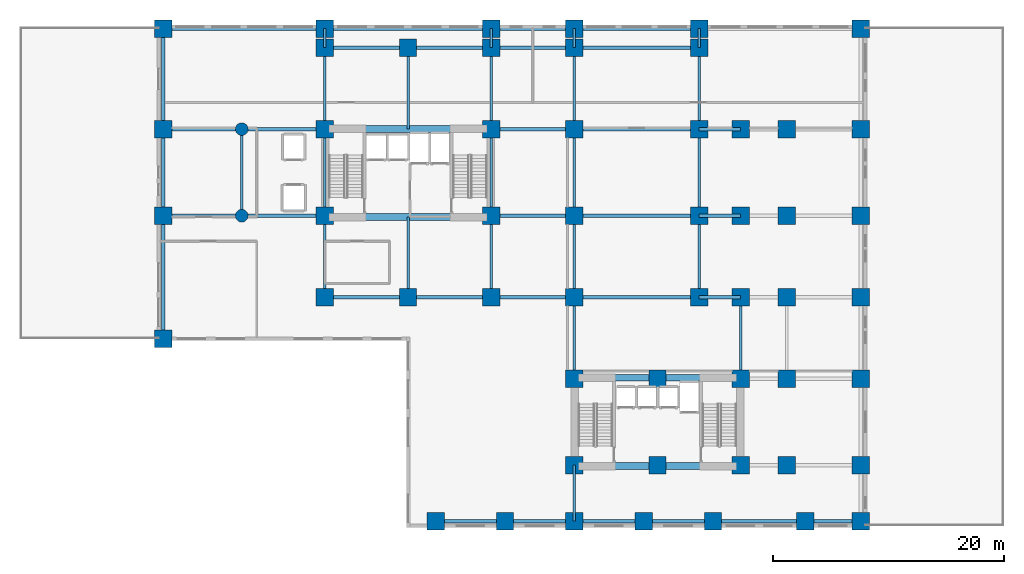
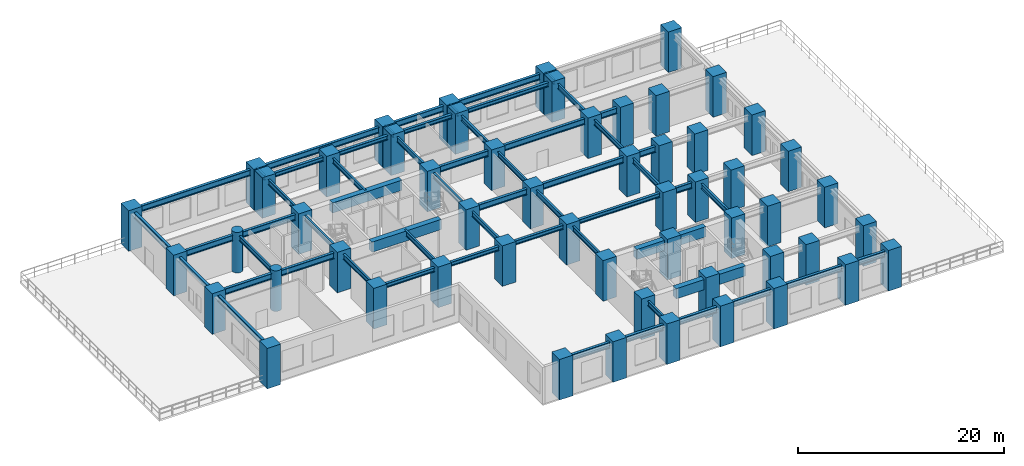
# One storey, part 1 of 10: 58 beams, 55 columns.
"""IFC4 building model written with IfcOpenShell, lengths in metres."""

import ifcopenshell
import ifcopenshell.guid

model = None  # the IFC model being written
_history = None  # IfcOwnerHistory: only IFC2X3 demands one
_inside = {}  # id of a spatial element -> (the spatial element, [elements in it])
_under = {}  # id of a project, library or spatial element -> (it, [spatial elements below it])
_declared = {}  # id of a project -> (the project, [libraries it declares])
_typed = {}  # id of a type object -> (the type object, [elements of that type])
_made_of = {}  # id of a material, layer set ... -> (it, [elements and type objects made of it])


def new_model(schema):
    """Start an empty IFC model of exactly this schema.

    Asked for "IFC4X3", IfcOpenShell would pick the latest addendum, in which some entities
    have other attributes; the version numbers below select the first issue.
    IFC2X3 requires an IfcOwnerHistory on every rooted entity: one is made here for all.
    """
    global model, _history
    if schema == "IFC4X3":
        model = ifcopenshell.file(schema_version=(4, 3, 0, 0))
    else:
        model = ifcopenshell.file(schema=schema)
    _inside.clear()
    _under.clear()
    _declared.clear()
    _typed.clear()
    _made_of.clear()
    _history = None
    if model.schema == "IFC2X3":
        org = make("IfcOrganization", Name="unknown")
        user = make(
            "IfcPersonAndOrganization",
            ThePerson=make("IfcPerson", FamilyName="unknown"),
            TheOrganization=org,
        )
        app = make(
            "IfcApplication",
            ApplicationDeveloper=org,
            Version="unknown",
            ApplicationFullName="unknown",
            ApplicationIdentifier="unknown",
        )
        _history = make(
            "IfcOwnerHistory",
            OwningUser=user,
            OwningApplication=app,
            ChangeAction="ADDED",
            CreationDate=0,
        )
    return model


def make(cls, **values):
    """One entity of the class cls with the attributes given. An attribute that is None is left unset."""
    return model.create_entity(
        cls, **{name: value for name, value in values.items() if value is not None}
    )


def rooted(cls, **values):
    """An entity with a GlobalId (a new one), such as an element, a storey or a relation."""
    return make(cls, GlobalId=ifcopenshell.guid.new(), OwnerHistory=_history, **values)


def si_unit(unit_type, name, prefix=None):
    """IfcSIUnit, for example si_unit("LENGTHUNIT", "METRE", prefix="MILLI")."""
    return make("IfcSIUnit", UnitType=unit_type, Prefix=prefix, Name=name)


def assignment(units):
    """IfcUnitAssignment: the units of a project."""
    return None if units is None else make("IfcUnitAssignment", Units=units)


def point(xyz):
    """IfcCartesianPoint."""
    return None if xyz is None else make("IfcCartesianPoint", Coordinates=xyz)


def direction(xyz):
    """IfcDirection."""
    return None if xyz is None else make("IfcDirection", DirectionRatios=xyz)


def frame(location, z_axis=None, x_axis=None):
    """IfcAxis2Placement3D, a coordinate frame: its origin and axes. An axis left out is left unset."""
    return make(
        "IfcAxis2Placement3D",
        Location=point(location),
        Axis=direction(z_axis),
        RefDirection=direction(x_axis),
    )


def frame_2d(location, x_axis=None):
    """IfcAxis2Placement2D, a coordinate frame in the plane: its origin and x axis."""
    return make(
        "IfcAxis2Placement2D", Location=point(location), RefDirection=direction(x_axis)
    )


def origin():
    """The frame at (0, 0, 0) with its axes left unset."""
    return frame((0.0, 0.0, 0.0))


def origin_2d():
    """The frame at (0, 0) in the plane with its x axis left unset."""
    return frame_2d((0.0, 0.0))


def place(relative_to, where):
    """IfcLocalPlacement: puts the frame where relative to a parent placement (None: the world)."""
    return make(
        "IfcLocalPlacement", PlacementRelTo=relative_to, RelativePlacement=where
    )


def context(
    kind, dimensions, precision=None, world=None, true_north=None, identifier=None
):
    """IfcGeometricRepresentationContext, for example the 3D "Model" context."""
    return make(
        "IfcGeometricRepresentationContext",
        ContextIdentifier=identifier,
        ContextType=kind,
        CoordinateSpaceDimension=dimensions,
        Precision=precision,
        WorldCoordinateSystem=world,
        TrueNorth=true_north,
    )


def subcontext(parent, identifier, kind, view, scale=None):
    """IfcGeometricRepresentationSubContext, for example "Body" below "Model"."""
    return make(
        "IfcGeometricRepresentationSubContext",
        ContextIdentifier=identifier,
        ContextType=kind,
        ParentContext=parent,
        TargetScale=scale,
        TargetView=view,
    )


def project(units=None, contexts=None):
    """IfcProject with its units and contexts."""
    return rooted(
        "IfcProject",
        Name="project",
        RepresentationContexts=contexts,
        UnitsInContext=assignment(units),
    )


def spatial(cls, under=None, at=None, **own):
    """A site, building, storey or space (cls), placed at a placement, below another one or the project."""
    s = rooted(cls, ObjectPlacement=at, **own)
    if under is not None:
        _under.setdefault(under.id(), (under, []))[1].append(s)
    return s


def profile(cls, at=None, kind="AREA", **sizes):
    """A parametric profile (cls). Its sizes go by their IFC names, for example OverallWidth=200.0."""
    return make(cls, ProfileType=kind, Position=at, **sizes)


def rectangle(**sizes):
    """IfcRectangleProfileDef."""
    return profile("IfcRectangleProfileDef", **sizes)


def circle(**sizes):
    """IfcCircleProfileDef."""
    return profile("IfcCircleProfileDef", **sizes)


def i_section(**sizes):
    """IfcIShapeProfileDef."""
    return profile("IfcIShapeProfileDef", **sizes)


def extrude(swept, where, along, depth):
    """IfcExtrudedAreaSolid: the profile swept, set in the frame where, extruded along a direction by depth."""
    return make(
        "IfcExtrudedAreaSolid",
        SweptArea=swept,
        Position=where,
        ExtrudedDirection=direction(along),
        Depth=depth,
    )


def shape(context_of_items, identifier, shape_type, items):
    """IfcShapeRepresentation: the items that make up one representation, for example the "Body"."""
    return make(
        "IfcShapeRepresentation",
        ContextOfItems=context_of_items,
        RepresentationIdentifier=identifier,
        RepresentationType=shape_type,
        Items=items,
    )


def source(mapping_origin, context_of_items, identifier, shape_type, items):
    """IfcRepresentationMap: a shape defined once, which mapped items show again and again."""
    return make(
        "IfcRepresentationMap",
        MappingOrigin=mapping_origin,
        MappedRepresentation=shape(context_of_items, identifier, shape_type, items),
    )


def transform(
    local_origin,
    x_axis=None,
    y_axis=None,
    z_axis=None,
    scale=None,
    scale2=None,
    scale3=None,
    uniform=True,
):
    """IfcCartesianTransformationOperator3D, or its non-uniform kind. x_axis, y_axis, z_axis: its Axis1, 2, 3."""
    if uniform:
        return make(
            "IfcCartesianTransformationOperator3D",
            Axis1=direction(x_axis),
            Axis2=direction(y_axis),
            LocalOrigin=point(local_origin),
            Scale=scale,
            Axis3=direction(z_axis),
        )
    return make(
        "IfcCartesianTransformationOperator3DnonUniform",
        Axis1=direction(x_axis),
        Axis2=direction(y_axis),
        LocalOrigin=point(local_origin),
        Scale=scale,
        Axis3=direction(z_axis),
        Scale2=scale2,
        Scale3=scale3,
    )


def mapped(mapping_source, mapping_target):
    """IfcMappedItem: shows the shape of a source again, moved by a transform."""
    return make(
        "IfcMappedItem", MappingSource=mapping_source, MappingTarget=mapping_target
    )


def material(Name=None, Category=None):
    """IfcMaterial."""
    return make("IfcMaterial", Name=Name, Category=Category)


def material_profile(
    of_material, cross_section, Name=None, Category=None, Priority=None
):
    """IfcMaterialProfile: a cross section and its material."""
    return make(
        "IfcMaterialProfile",
        Name=Name,
        Material=of_material,
        Profile=cross_section,
        Priority=Priority,
        Category=Category,
    )


def profile_set(profiles, Name=None, composite=None):
    """IfcMaterialProfileSet."""
    return make(
        "IfcMaterialProfileSet",
        Name=Name,
        MaterialProfiles=profiles,
        CompositeProfile=composite,
    )


def made_of(thing, what):
    """Note that an element or type object is made of a material, layer set ...; save() writes the relation."""
    if what is not None:
        _made_of.setdefault(what.id(), (what, []))[1].append(thing)
    return thing


def type_object(cls, material=None, **own):
    """A type object (cls), such as IfcWallType, which elements share."""
    return made_of(rooted(cls, **own), material)


def element(
    cls,
    number,
    at=None,
    inside=None,
    cuts=None,
    type_object=None,
    material=None,
    context=None,
    identifier="Body",
    shape_type=None,
    held_by="IfcProductDefinitionShape",
    body=None,
    shapes=None,
    **own,
):
    """One element of the class cls, such as IfcWall. Its Tag is "e" and its number.

    at: its placement. inside: the storey or other place that contains it. cuts: it is an
    opening in that element (IfcRelVoidsElement). A single representation is given by context,
    identifier, shape_type and body (its items); several are given by shapes. held_by: the class
    of the entity that holds the representations. save() writes the other relations.
    """
    e = rooted(cls, Tag="e%d" % number, ObjectPlacement=at, **own)
    if body is not None:
        shapes = [shape(context, identifier, shape_type, body)]
    if shapes is not None:
        e.Representation = make(held_by, Representations=shapes)
    if inside is not None:
        _inside.setdefault(inside.id(), (inside, []))[1].append(e)
    if cuts is not None:
        rooted(
            "IfcRelVoidsElement", RelatingBuildingElement=cuts, RelatedOpeningElement=e
        )
    if type_object is not None:
        _typed.setdefault(type_object.id(), (type_object, []))[1].append(e)
    return made_of(e, material)


def aggregate(whole, parts):
    """IfcRelAggregates: a whole, such as a stair, and the parts it consists of."""
    return rooted("IfcRelAggregates", RelatingObject=whole, RelatedObjects=parts)


def save(model, path):
    """Write the relations noted so far, then the file.

    IfcRelAggregates (storeys below a building ...), IfcRelContainedInSpatialStructure (elements
    in a storey), IfcRelDefinesByType, IfcRelAssociatesMaterial and IfcRelDeclares: one each for
    every whole, place, type object, material and project.
    """
    for whole, parts in _under.values():
        aggregate(whole, parts)
    for where, things in _inside.values():
        rooted(
            "IfcRelContainedInSpatialStructure",
            RelatedElements=things,
            RelatingStructure=where,
        )
    for kind, things in _typed.values():
        rooted("IfcRelDefinesByType", RelatedObjects=things, RelatingType=kind)
    for what, things in _made_of.values():
        rooted("IfcRelAssociatesMaterial", RelatedObjects=things, RelatingMaterial=what)
    for by, libraries in _declared.values():
        rooted("IfcRelDeclares", RelatingContext=by, RelatedDefinitions=libraries)
    model.write(path)


model = new_model("IFC4")

# Units and contexts
model_context = context("Model", 3, precision=1e-05, world=origin(), true_north=direction((0.0, 1.0)))
body_context = subcontext(model_context, "Body", "Model", "MODEL_VIEW")
ifc_project = project(units=[si_unit("LENGTHUNIT", "METRE"), si_unit("AREAUNIT", "SQUARE_METRE"), si_unit("VOLUMEUNIT", "CUBIC_METRE"), si_unit("PLANEANGLEUNIT", "RADIAN"), si_unit("MASSUNIT", "GRAM", prefix="KILO")], contexts=[model_context])

# Site, building, storey
site_placement = place(None, origin())
site = spatial("IfcSite", under=ifc_project, at=site_placement, CompositionType="ELEMENT")
building_placement = place(site_placement, origin())
building = spatial("IfcBuilding", under=site, at=building_placement, Name="Kaliganga Portal Commons", CompositionType="ELEMENT")
storey_placement = place(building_placement, frame((0.0, 0.0, 15.0)))
storey = spatial("IfcBuildingStorey", under=building, at=storey_placement, Name="L03", CompositionType="ELEMENT", Elevation=15.0)

# Columns
ifc_material_1 = material(Name="Concrete C60/75", Category="concrete")
ifc_material_profile_1 = material_profile(ifc_material_1, circle(Radius=0.550048828125, at=origin_2d()), Name="RC COL D1100")
ifc_profile_set_1 = profile_set([ifc_material_profile_1], Name="Concrete C60/75")
column_type_1 = type_object("IfcColumnType", Name="COL-POD-CIRC", PredefinedType="COLUMN", material=ifc_profile_set_1)
shared_shape_1 = source(origin(), body_context, "Body", "SweptSolid", [
    extrude(circle(Radius=0.550048828125, at=origin_2d()), origin(), (0.0, 0.0, 1.0), 4.800048828125),
])
for number, where, z_axis, x_axis, name in (
    (1, (7.199951171875, 28.64990234375, 0.0), (0.0, 0.0, 1.0), (1.0, 0.0, 0.0), "Column MC-07 L03"),
    (2, (7.199951171875, 36.14990234375, 0.0), (0.0, 0.0, 1.0), (1.0, 0.0, 0.0), "Column MC-07 L03"),
):
    element("IfcColumn", number, at=place(storey_placement, frame(where, z_axis=z_axis, x_axis=x_axis)), inside=storey, type_object=column_type_1, Name=name, PredefinedType="COLUMN", context=body_context, shape_type="MappedRepresentation", body=[
        mapped(shared_shape_1, transform((0.0, 0.0, 0.0), x_axis=(1.0, 0.0, 0.0), y_axis=(0.0, 1.0, 0.0), z_axis=(0.0, 0.0, 1.0), scale=1.0)),
    ])
ifc_material_2 = material(Name="Concrete C70/85", Category="concrete")
ifc_material_profile_2 = material_profile(ifc_material_2, rectangle(XDim=1.5, YDim=1.5, at=origin_2d()), Name="RC 1500x1500")
ifc_profile_set_2 = profile_set([ifc_material_profile_2], Name="Concrete C70/85")
column_type_2 = type_object("IfcColumnType", Name="COL-MEGA-Z0", PredefinedType="COLUMN", material=ifc_profile_set_2)
shared_shape_2 = source(origin(), body_context, "Body", "SweptSolid", [
    extrude(rectangle(XDim=1.5, YDim=1.5, at=origin_2d()), origin(), (0.0, 0.0, 1.0), 4.800048828125),
])
for number, where, z_axis, x_axis, name in (
    (3, (14.39990234375, 21.60009765625, 0.0), (0.0, 0.0, 1.0), (1.0, 0.0, 0.0), "Column MC-01 L03"),
    (4, (14.39990234375, 28.64990234375, 0.0), (0.0, 0.0, 1.0), (1.0, 0.0, 0.0), "Column MC-01 L03"),
    (5, (14.39990234375, 36.14990234375, 0.0), (0.0, 0.0, 1.0), (1.0, 0.0, 0.0), "Column MC-01 L03"),
    (6, (14.39990234375, 43.199951171875, 0.0), (0.0, 0.0, 1.0), (1.0, 0.0, 0.0), "Column MC-01 L03"),
    (7, (21.60009765625, 21.60009765625, 0.0), (0.0, 0.0, 1.0), (1.0, 0.0, 0.0), "Column MC-01 L03"),
    (8, (21.60009765625, 43.199951171875, 0.0), (0.0, 0.0, 1.0), (1.0, 0.0, 0.0), "Column MC-01 L03"),
    (9, (28.800048828125, 21.60009765625, 0.0), (0.0, 0.0, 1.0), (1.0, 0.0, 0.0), "Column MC-01 L03"),
    (10, (28.800048828125, 28.64990234375, 0.0), (0.0, 0.0, 1.0), (1.0, 0.0, 0.0), "Column MC-01 L03"),
    (11, (28.800048828125, 36.14990234375, 0.0), (0.0, 0.0, 1.0), (1.0, 0.0, 0.0), "Column MC-01 L03"),
    (12, (28.800048828125, 43.199951171875, 0.0), (0.0, 0.0, 1.0), (1.0, 0.0, 0.0), "Column MC-01 L03"),
    (13, (36.0, 21.60009765625, 0.0), (0.0, 0.0, 1.0), (1.0, 0.0, 0.0), "Column MC-01 L03"),
    (14, (36.0, 43.199951171875, 0.0), (0.0, 0.0, 1.0), (1.0, 0.0, 0.0), "Column MC-01 L03"),
    (15, (36.0, 28.64990234375, 0.0), (0.0, 0.0, 1.0), (1.0, 0.0, 0.0), "Column MC-01 L03"),
    (16, (36.0, 36.14990234375, 0.0), (0.0, 0.0, 1.0), (1.0, 0.0, 0.0), "Column MC-01 L03"),
    (17, (46.800048828125, 21.60009765625, 0.0), (0.0, 0.0, 1.0), (1.0, 0.0, 0.0), "Column MC-01 L03"),
    (18, (46.800048828125, 28.64990234375, 0.0), (0.0, 0.0, 1.0), (1.0, 0.0, 0.0), "Column MC-01 L03"),
    (19, (46.800048828125, 36.14990234375, 0.0), (0.0, 0.0, 1.0), (1.0, 0.0, 0.0), "Column MC-01 L03"),
    (20, (46.800048828125, 43.199951171875, 0.0), (0.0, 0.0, 1.0), (1.0, 0.0, 0.0), "Column MC-01 L03"),
    (21, (36.0, 7.050048828125, 0.0), (0.0, 0.0, 1.0), (1.0, 0.0, 0.0), "Column MC-01 L03"),
    (22, (36.0, 14.550048828125, 0.0), (0.0, 0.0, 1.0), (1.0, 0.0, 0.0), "Column MC-01 L03"),
    (23, (43.199951171875, 7.050048828125, 0.0), (0.0, 0.0, 1.0), (1.0, 0.0, 0.0), "Column MC-01 L03"),
    (24, (43.199951171875, 14.550048828125, 0.0), (0.0, 0.0, 1.0), (1.0, 0.0, 0.0), "Column MC-01 L03"),
    (25, (50.39990234375, 7.050048828125, 0.0), (0.0, 0.0, 1.0), (1.0, 0.0, 0.0), "Column MC-01 L03"),
    (26, (50.39990234375, 14.550048828125, 0.0), (0.0, 0.0, 1.0), (1.0, 0.0, 0.0), "Column MC-01 L03"),
    (27, (50.39990234375, 21.60009765625, 0.0), (0.0, 0.0, 1.0), (1.0, 0.0, 0.0), "Column MC-01 L03"),
    (28, (50.39990234375, 28.64990234375, 0.0), (0.0, 0.0, 1.0), (1.0, 0.0, 0.0), "Column MC-01 L03"),
    (29, (50.39990234375, 36.14990234375, 0.0), (0.0, 0.0, 1.0), (1.0, 0.0, 0.0), "Column MC-01 L03"),
    (30, (54.39990234375, 7.050048828125, 0.0), (0.0, 0.0, 1.0), (1.0, 0.0, 0.0), "Column MC-01 L03"),
    (31, (54.39990234375, 14.550048828125, 0.0), (0.0, 0.0, 1.0), (1.0, 0.0, 0.0), "Column MC-01 L03"),
    (32, (54.39990234375, 21.60009765625, 0.0), (0.0, 0.0, 1.0), (1.0, 0.0, 0.0), "Column MC-01 L03"),
    (33, (54.39990234375, 28.64990234375, 0.0), (0.0, 0.0, 1.0), (1.0, 0.0, 0.0), "Column MC-01 L03"),
    (34, (54.39990234375, 36.14990234375, 0.0), (0.0, 0.0, 1.0), (1.0, 0.0, 0.0), "Column MC-01 L03"),
    (35, (0.39990234375, 18.0, 0.0), (0.0, 0.0, 1.0), (1.0, 0.0, 0.0), "Column MC-01 L03"),
    (36, (0.39990234375, 28.64990234375, 0.0), (0.0, 0.0, 1.0), (1.0, 0.0, 0.0), "Column MC-01 L03"),
    (37, (0.39990234375, 36.14990234375, 0.0), (0.0, 0.0, 1.0), (1.0, 0.0, 0.0), "Column MC-01 L03"),
    (38, (0.39990234375, 44.85009765625, 0.0), (0.0, 0.0, 1.0), (1.0, 0.0, 0.0), "Column MC-01 L03"),
    (39, (14.39990234375, 44.85009765625, 0.0), (0.0, 0.0, 1.0), (1.0, 0.0, 0.0), "Column MC-01 L03"),
    (40, (28.800048828125, 44.85009765625, 0.0), (0.0, 0.0, 1.0), (1.0, 0.0, 0.0), "Column MC-01 L03"),
    (41, (36.0, 44.85009765625, 0.0), (0.0, 0.0, 1.0), (1.0, 0.0, 0.0), "Column MC-01 L03"),
    (42, (46.800048828125, 44.85009765625, 0.0), (0.0, 0.0, 1.0), (1.0, 0.0, 0.0), "Column MC-01 L03"),
    (43, (60.800048828125, 44.85009765625, 0.0), (0.0, 0.0, 1.0), (1.0, 0.0, 0.0), "Column MC-01 L03"),
    (44, (60.800048828125, 36.14990234375, 0.0), (0.0, 0.0, 1.0), (1.0, 0.0, 0.0), "Column MC-01 L03"),
    (45, (60.800048828125, 28.64990234375, 0.0), (0.0, 0.0, 1.0), (1.0, 0.0, 0.0), "Column MC-01 L03"),
    (46, (60.800048828125, 21.60009765625, 0.0), (0.0, 0.0, 1.0), (1.0, 0.0, 0.0), "Column MC-01 L03"),
    (47, (60.800048828125, 14.550048828125, 0.0), (0.0, 0.0, 1.0), (1.0, 0.0, 0.0), "Column MC-01 L03"),
    (48, (60.800048828125, 7.050048828125, 0.0), (0.0, 0.0, 1.0), (1.0, 0.0, 0.0), "Column MC-01 L03"),
    (49, (60.800048828125, 2.199951171875, 0.0), (0.0, 0.0, 1.0), (1.0, 0.0, 0.0), "Column MC-01 L03"),
    (50, (56.0, 2.199951171875, 0.0), (0.0, 0.0, 1.0), (1.0, 0.0, 0.0), "Column MC-01 L03"),
    (51, (48.0, 2.199951171875, 0.0), (0.0, 0.0, 1.0), (1.0, 0.0, 0.0), "Column MC-01 L03"),
    (52, (42.0, 2.199951171875, 0.0), (0.0, 0.0, 1.0), (1.0, 0.0, 0.0), "Column MC-01 L03"),
    (53, (36.0, 2.199951171875, 0.0), (0.0, 0.0, 1.0), (1.0, 0.0, 0.0), "Column MC-01 L03"),
    (54, (30.0, 2.199951171875, 0.0), (0.0, 0.0, 1.0), (1.0, 0.0, 0.0), "Column MC-01 L03"),
    (55, (24.0, 2.199951171875, 0.0), (0.0, 0.0, 1.0), (1.0, 0.0, 0.0), "Column MC-01 L03"),
):
    element("IfcColumn", number, at=place(storey_placement, frame(where, z_axis=z_axis, x_axis=x_axis)), inside=storey, type_object=column_type_2, Name=name, PredefinedType="COLUMN", context=body_context, shape_type="MappedRepresentation", body=[
        mapped(shared_shape_2, transform((0.0, 0.0, 0.0), x_axis=(1.0, 0.0, 0.0), y_axis=(0.0, 1.0, 0.0), z_axis=(0.0, 0.0, 1.0), scale=1.0)),
    ])

# Beams
ifc_material_profile_3 = material_profile(ifc_material_1, rectangle(XDim=0.60009765625, YDim=1.199951171875, at=origin_2d()), Name="RC 600x1200")
ifc_profile_set_3 = profile_set([ifc_material_profile_3], Name="Concrete C60/75")
beam_type_1 = type_object("IfcBeamType", Name="BM-CPL-1200", PredefinedType="LINTEL", material=ifc_profile_set_3)
shared_shape_3 = source(origin(), body_context, "Body", "SweptSolid", [
    extrude(rectangle(XDim=0.60009765625, YDim=1.199951171875, at=origin_2d()), origin(), (0.0, 0.0, 1.0), 7.739990234375),
])
for number, where, z_axis, x_axis, name in (
    (56, (17.72998046875, 28.52490234375, 3.780029296875), (1.0, 0.0, 0.0), (0.0, 1.0, 0.0), "BM CPL COREA L03 S"),
    (57, (17.72998046875, 36.175048828125, 3.780029296875), (1.0, 0.0, 0.0), (0.0, 1.0, 0.0), "BM CPL COREA L03 N"),
    (58, (39.330078125, 6.97509765625, 3.780029296875), (1.0, 0.0, 0.0), (0.0, 1.0, 0.0), "BM CPL COREB L03 S"),
    (59, (39.330078125, 14.625, 3.780029296875), (1.0, 0.0, 0.0), (0.0, 1.0, 0.0), "BM CPL COREB L03 N"),
):
    element("IfcBeam", number, at=place(storey_placement, frame(where, z_axis=z_axis, x_axis=x_axis)), inside=storey, type_object=beam_type_1, Name=name, PredefinedType="LINTEL", context=body_context, shape_type="MappedRepresentation", body=[
        mapped(shared_shape_3, transform((0.0, 0.0, 0.0), x_axis=(1.0, 0.0, 0.0), y_axis=(0.0, 1.0, 0.0), z_axis=(0.0, 0.0, 1.0), scale=1.0)),
    ])
ifc_material_3 = material(Name="Structural steel S355J2", Category="steel")
ifc_material_profile_4 = material_profile(ifc_material_3, i_section(OverallWidth=0.300048828125, OverallDepth=0.699951171875, WebThickness=0.01708984375, FlangeThickness=0.031982421875, FilletRadius=0.027099609375, at=origin_2d()), Name="HE 700 B")
ifc_profile_set_4 = profile_set([ifc_material_profile_4], Name="Structural steel S355J2 wide-flange")
beam_type_2 = type_object("IfcBeamType", Name="BM-GIRD-700", PredefinedType="USERDEFINED", material=ifc_profile_set_4)
shared_shape_4 = source(origin(), body_context, "Body", "SweptSolid", [
    extrude(i_section(OverallWidth=0.300048828125, OverallDepth=0.699951171875, WebThickness=0.01708984375, FlangeThickness=0.031982421875, FilletRadius=0.027099609375, at=origin_2d()), origin(), (0.0, 0.0, 1.0), 7.199951171875),
])
for number, where, z_axis, x_axis, name in (
    (60, (7.199951171875, 28.64990234375, 4.030029296875), (1.0, 0.0, 0.0), (0.0, 1.0, 0.0), "BM G L03 WAH_S 2"),
    (61, (7.199951171875, 36.14990234375, 4.030029296875), (1.0, 0.0, 0.0), (0.0, 1.0, 0.0), "BM G L03 WAH_N 2"),
    (62, (28.800048828125, 28.64990234375, 4.030029296875), (1.0, 0.0, 0.0), (0.0, 1.0, 0.0), "BM G L03 WAE_S 1"),
    (63, (28.800048828125, 36.14990234375, 4.030029296875), (1.0, 0.0, 0.0), (0.0, 1.0, 0.0), "BM G L03 WAE_N 1"),
    (64, (28.800048828125, 44.85009765625, 4.030029296875), (1.0, 0.0, 0.0), (0.0, 1.0, 0.0), "BM PODP L03 N44 3"),
):
    element("IfcBeam", number, at=place(storey_placement, frame(where, z_axis=z_axis, x_axis=x_axis)), inside=storey, type_object=beam_type_2, Name=name, ObjectType="GIRDER", PredefinedType="USERDEFINED", context=body_context, shape_type="MappedRepresentation", body=[
        mapped(shared_shape_4, transform((0.0, 0.0, 0.0), x_axis=(1.0, 0.0, 0.0), y_axis=(0.0, 1.0, 0.0), z_axis=(0.0, 0.0, 1.0), scale=1.0)),
    ])
shared_shape_5 = source(origin(), body_context, "Body", "SweptSolid", [
    extrude(i_section(OverallWidth=0.300048828125, OverallDepth=0.699951171875, WebThickness=0.01708984375, FlangeThickness=0.031982421875, FilletRadius=0.027099609375, at=origin_2d()), origin(), (0.0, 0.0, 1.0), 10.800048828125),
])
for number, where, z_axis, x_axis, name in (
    (65, (36.0, 28.64990234375, 4.030029296875), (1.0, 0.0, 0.0), (0.0, 1.0, 0.0), "BM G L03 WAE_S 2"),
    (66, (36.0, 36.14990234375, 4.030029296875), (1.0, 0.0, 0.0), (0.0, 1.0, 0.0), "BM G L03 WAE_N 2"),
    (67, (36.0, 44.85009765625, 4.030029296875), (1.0, 0.0, 0.0), (0.0, 1.0, 0.0), "BM PODP L03 N44 4"),
):
    element("IfcBeam", number, at=place(storey_placement, frame(where, z_axis=z_axis, x_axis=x_axis)), inside=storey, type_object=beam_type_2, Name=name, ObjectType="GIRDER", PredefinedType="USERDEFINED", context=body_context, shape_type="MappedRepresentation", body=[
        mapped(shared_shape_5, transform((0.0, 0.0, 0.0), x_axis=(1.0, 0.0, 0.0), y_axis=(0.0, 1.0, 0.0), z_axis=(0.0, 0.0, 1.0), scale=1.0)),
    ])
shared_shape_6 = source(origin(), body_context, "Body", "SweptSolid", [
    extrude(i_section(OverallWidth=0.300048828125, OverallDepth=0.699951171875, WebThickness=0.01708984375, FlangeThickness=0.031982421875, FilletRadius=0.027099609375, at=origin_2d()), origin(), (0.0, 0.0, 1.0), 6.800048828125),
])
for number, where, z_axis, x_axis, name in (
    (68, (0.39990234375, 28.64990234375, 4.030029296875), (1.0, 0.0, 0.0), (0.0, 1.0, 0.0), "BM G L03 WAH_S 1"),
    (69, (0.39990234375, 36.14990234375, 4.030029296875), (1.0, 0.0, 0.0), (0.0, 1.0, 0.0), "BM G L03 WAH_N 1"),
):
    element("IfcBeam", number, at=place(storey_placement, frame(where, z_axis=z_axis, x_axis=x_axis)), inside=storey, type_object=beam_type_2, Name=name, ObjectType="GIRDER", PredefinedType="USERDEFINED", context=body_context, shape_type="MappedRepresentation", body=[
        mapped(shared_shape_6, transform((0.0, 0.0, 0.0), x_axis=(1.0, 0.0, 0.0), y_axis=(0.0, 1.0, 0.0), z_axis=(0.0, 0.0, 1.0), scale=1.0)),
    ])
ifc_material_profile_5 = material_profile(ifc_material_3, i_section(OverallWidth=0.219970703125, OverallDepth=0.60009765625, WebThickness=0.011962890625, FlangeThickness=0.01904296875, FilletRadius=0.02392578125, at=origin_2d()), Name="IPE 600")
ifc_profile_set_5 = profile_set([ifc_material_profile_5], Name="Structural steel S355J2 wide-flange")
beam_type_3 = type_object("IfcBeamType", Name="BM-FLR-600", PredefinedType="BEAM", material=ifc_profile_set_5)
shared_shape_7 = source(origin(), body_context, "Body", "SweptSolid", [
    extrude(i_section(OverallWidth=0.219970703125, OverallDepth=0.60009765625, WebThickness=0.011962890625, FlangeThickness=0.01904296875, FilletRadius=0.02392578125, at=origin_2d()), origin(), (0.0, 0.0, 1.0), 7.5),
])
for number, where, z_axis, x_axis, name in (
    (70, (7.199951171875, 28.64990234375, 4.080078125), (0.0, 1.0, 0.0), (-1.0, 0.0, 0.0), "BM G L03 AW72"),
    (71, (14.39990234375, 28.64990234375, 4.080078125), (0.0, 1.0, 0.0), (-1.0, 0.0, 0.0), "BM G L03 AM144"),
    (72, (28.800048828125, 28.64990234375, 4.080078125), (0.0, 1.0, 0.0), (-1.0, 0.0, 0.0), "BM G L03 AM288"),
    (73, (36.0, 28.64990234375, 4.080078125), (0.0, 1.0, 0.0), (-1.0, 0.0, 0.0), "BM G L03 AM360"),
    (74, (46.800048828125, 28.64990234375, 4.080078125), (0.0, 1.0, 0.0), (-1.0, 0.0, 0.0), "BM G L03 AM468"),
):
    element("IfcBeam", number, at=place(storey_placement, frame(where, z_axis=z_axis, x_axis=x_axis)), inside=storey, type_object=beam_type_3, Name=name, PredefinedType="BEAM", context=body_context, shape_type="MappedRepresentation", body=[
        mapped(shared_shape_7, transform((0.0, 0.0, 0.0), x_axis=(1.0, 0.0, 0.0), y_axis=(0.0, 1.0, 0.0), z_axis=(0.0, 0.0, 1.0), scale=1.0)),
    ])
shared_shape_8 = source(origin(), body_context, "Body", "SweptSolid", [
    extrude(i_section(OverallWidth=0.219970703125, OverallDepth=0.60009765625, WebThickness=0.011962890625, FlangeThickness=0.01904296875, FilletRadius=0.02392578125, at=origin_2d()), origin(), (0.0, 0.0, 1.0), 7.050048828125),
])
for number, where, z_axis, x_axis, name in (
    (75, (14.39990234375, 36.14990234375, 4.080078125), (0.0, 1.0, 0.0), (-1.0, 0.0, 0.0), "BM G L03 AN144"),
    (76, (28.800048828125, 36.14990234375, 4.080078125), (0.0, 1.0, 0.0), (-1.0, 0.0, 0.0), "BM G L03 AN288"),
    (77, (36.0, 36.14990234375, 4.080078125), (0.0, 1.0, 0.0), (-1.0, 0.0, 0.0), "BM G L03 AN360"),
    (78, (46.800048828125, 36.14990234375, 4.080078125), (0.0, 1.0, 0.0), (-1.0, 0.0, 0.0), "BM G L03 AN468"),
    (79, (36.0, 14.550048828125, 4.080078125), (0.0, 1.0, 0.0), (-1.0, 0.0, 0.0), "BM G L03 BNK360"),
    (80, (50.39990234375, 14.550048828125, 4.080078125), (0.0, 1.0, 0.0), (-1.0, 0.0, 0.0), "BM G L03 BNK504"),
):
    element("IfcBeam", number, at=place(storey_placement, frame(where, z_axis=z_axis, x_axis=x_axis)), inside=storey, type_object=beam_type_3, Name=name, PredefinedType="BEAM", context=body_context, shape_type="MappedRepresentation", body=[
        mapped(shared_shape_8, transform((0.0, 0.0, 0.0), x_axis=(1.0, 0.0, 0.0), y_axis=(0.0, 1.0, 0.0), z_axis=(0.0, 0.0, 1.0), scale=1.0)),
    ])
shared_shape_9 = source(origin(), body_context, "Body", "SweptSolid", [
    extrude(i_section(OverallWidth=0.219970703125, OverallDepth=0.60009765625, WebThickness=0.011962890625, FlangeThickness=0.01904296875, FilletRadius=0.02392578125, at=origin_2d()), origin(), (0.0, 0.0, 1.0), 7.0498046875),
])
for number, where, z_axis, x_axis, name in (
    (81, (14.39990234375, 21.60009765625, 4.080078125), (0.0, 1.0, 0.0), (-1.0, 0.0, 0.0), "BM G L03 AS144"),
    (82, (28.800048828125, 21.60009765625, 4.080078125), (0.0, 1.0, 0.0), (-1.0, 0.0, 0.0), "BM G L03 AS288"),
    (83, (36.0, 21.60009765625, 4.080078125), (0.0, 1.0, 0.0), (-1.0, 0.0, 0.0), "BM G L03 AS360"),
    (84, (46.800048828125, 21.60009765625, 4.080078125), (0.0, 1.0, 0.0), (-1.0, 0.0, 0.0), "BM G L03 AS468"),
):
    element("IfcBeam", number, at=place(storey_placement, frame(where, z_axis=z_axis, x_axis=x_axis)), inside=storey, type_object=beam_type_3, Name=name, PredefinedType="BEAM", context=body_context, shape_type="MappedRepresentation", body=[
        mapped(shared_shape_9, transform((0.0, 0.0, 0.0), x_axis=(1.0, 0.0, 0.0), y_axis=(0.0, 1.0, 0.0), z_axis=(0.0, 0.0, 1.0), scale=1.0)),
    ])
shared_shape_10 = source(origin(), body_context, "Body", "SweptSolid", [
    extrude(i_section(OverallWidth=0.219970703125, OverallDepth=0.60009765625, WebThickness=0.011962890625, FlangeThickness=0.01904296875, FilletRadius=0.02392578125, at=origin_2d()), origin(), (0.0, 0.0, 1.0), 7.02490234375),
])
beam_1_placement = place(storey_placement, frame((21.60009765625, 36.175048828125, 4.080078125), z_axis=(0.0, 1.0, 0.0), x_axis=(-1.0, 0.0, 0.0)))
element("IfcBeam", 85, at=beam_1_placement, inside=storey, type_object=beam_type_3, Name="BM G L03 AN216", PredefinedType="BEAM", context=body_context, shape_type="MappedRepresentation", body=[
    mapped(shared_shape_10, transform((0.0, 0.0, 0.0), x_axis=(1.0, 0.0, 0.0), y_axis=(0.0, 1.0, 0.0), z_axis=(0.0, 0.0, 1.0), scale=1.0)),
])
shared_shape_11 = source(origin(), body_context, "Body", "SweptSolid", [
    extrude(i_section(OverallWidth=0.219970703125, OverallDepth=0.60009765625, WebThickness=0.011962890625, FlangeThickness=0.01904296875, FilletRadius=0.02392578125, at=origin_2d()), origin(), (0.0, 0.0, 1.0), 6.9248046875),
])
beam_2_placement = place(storey_placement, frame((21.60009765625, 21.60009765625, 4.080078125), z_axis=(0.0, 1.0, 0.0), x_axis=(-1.0, 0.0, 0.0)))
element("IfcBeam", 86, at=beam_2_placement, inside=storey, type_object=beam_type_3, Name="BM G L03 AS216", PredefinedType="BEAM", context=body_context, shape_type="MappedRepresentation", body=[
    mapped(shared_shape_11, transform((0.0, 0.0, 0.0), x_axis=(1.0, 0.0, 0.0), y_axis=(0.0, 1.0, 0.0), z_axis=(0.0, 0.0, 1.0), scale=1.0)),
])
shared_shape_12 = source(origin(), body_context, "Body", "SweptSolid", [
    extrude(i_section(OverallWidth=0.300048828125, OverallDepth=0.699951171875, WebThickness=0.01708984375, FlangeThickness=0.031982421875, FilletRadius=0.027099609375, at=origin_2d()), origin(), (0.0, 0.0, 1.0), 3.599853515625),
])
for number, where, z_axis, x_axis, name in (
    (87, (46.800048828125, 21.60009765625, 4.030029296875), (1.0, 0.0, 0.0), (0.0, 1.0, 0.0), "BM G L03 BKE216 1"),
    (88, (46.800048828125, 28.64990234375, 4.030029296875), (1.0, 0.0, 0.0), (0.0, 1.0, 0.0), "BM G L03 BKE286 1"),
    (89, (46.800048828125, 36.14990234375, 4.030029296875), (1.0, 0.0, 0.0), (0.0, 1.0, 0.0), "BM G L03 BKE362 1"),
):
    element("IfcBeam", number, at=place(storey_placement, frame(where, z_axis=z_axis, x_axis=x_axis)), inside=storey, type_object=beam_type_2, Name=name, ObjectType="GIRDER", PredefinedType="USERDEFINED", context=body_context, shape_type="MappedRepresentation", body=[
        mapped(shared_shape_12, transform((0.0, 0.0, 0.0), x_axis=(1.0, 0.0, 0.0), y_axis=(0.0, 1.0, 0.0), z_axis=(0.0, 0.0, 1.0), scale=1.0)),
    ])
shared_shape_13 = source(origin(), body_context, "Body", "SweptSolid", [
    extrude(i_section(OverallWidth=0.300048828125, OverallDepth=0.699951171875, WebThickness=0.01708984375, FlangeThickness=0.031982421875, FilletRadius=0.027099609375, at=origin_2d()), origin(), (0.0, 0.0, 1.0), 10.64990234375),
])
beam_3_placement = place(storey_placement, frame((0.39990234375, 18.0, 4.030029296875), z_axis=(0.0, 1.0, 0.0), x_axis=(-1.0, 0.0, 0.0)))
element("IfcBeam", 90, at=beam_3_placement, inside=storey, type_object=beam_type_2, Name="BM PODP L03 W04 1", ObjectType="GIRDER", PredefinedType="USERDEFINED", context=body_context, shape_type="MappedRepresentation", body=[
    mapped(shared_shape_13, transform((0.0, 0.0, 0.0), x_axis=(1.0, 0.0, 0.0), y_axis=(0.0, 1.0, 0.0), z_axis=(0.0, 0.0, 1.0), scale=1.0)),
])
shared_shape_14 = source(origin(), body_context, "Body", "SweptSolid", [
    extrude(i_section(OverallWidth=0.300048828125, OverallDepth=0.699951171875, WebThickness=0.01708984375, FlangeThickness=0.031982421875, FilletRadius=0.027099609375, at=origin_2d()), origin(), (0.0, 0.0, 1.0), 8.7001953125),
])
beam_4_placement = place(storey_placement, frame((0.39990234375, 36.14990234375, 4.030029296875), z_axis=(0.0, 1.0, 0.0), x_axis=(-1.0, 0.0, 0.0)))
element("IfcBeam", 91, at=beam_4_placement, inside=storey, type_object=beam_type_2, Name="BM PODP L03 W04 3", ObjectType="GIRDER", PredefinedType="USERDEFINED", context=body_context, shape_type="MappedRepresentation", body=[
    mapped(shared_shape_14, transform((0.0, 0.0, 0.0), x_axis=(1.0, 0.0, 0.0), y_axis=(0.0, 1.0, 0.0), z_axis=(0.0, 0.0, 1.0), scale=1.0)),
])
shared_shape_15 = source(origin(), body_context, "Body", "SweptSolid", [
    extrude(i_section(OverallWidth=0.300048828125, OverallDepth=0.699951171875, WebThickness=0.01708984375, FlangeThickness=0.031982421875, FilletRadius=0.027099609375, at=origin_2d()), origin(), (0.0, 0.0, 1.0), 14.0),
])
beam_5_placement = place(storey_placement, frame((0.39990234375, 44.85009765625, 4.030029296875), z_axis=(1.0, 0.0, 0.0), x_axis=(0.0, 1.0, 0.0)))
element("IfcBeam", 92, at=beam_5_placement, inside=storey, type_object=beam_type_2, Name="BM PODP L03 N44 1", ObjectType="GIRDER", PredefinedType="USERDEFINED", context=body_context, shape_type="MappedRepresentation", body=[
    mapped(shared_shape_15, transform((0.0, 0.0, 0.0), x_axis=(1.0, 0.0, 0.0), y_axis=(0.0, 1.0, 0.0), z_axis=(0.0, 0.0, 1.0), scale=1.0)),
])
shared_shape_16 = source(origin(), body_context, "Body", "SweptSolid", [
    extrude(i_section(OverallWidth=0.300048828125, OverallDepth=0.699951171875, WebThickness=0.01708984375, FlangeThickness=0.031982421875, FilletRadius=0.027099609375, at=origin_2d()), origin(), (0.0, 0.0, 1.0), 14.400146484375),
])
beam_6_placement = place(storey_placement, frame((14.39990234375, 44.85009765625, 4.030029296875), z_axis=(1.0, 0.0, 0.0), x_axis=(0.0, 1.0, 0.0)))
element("IfcBeam", 93, at=beam_6_placement, inside=storey, type_object=beam_type_2, Name="BM PODP L03 N44 2", ObjectType="GIRDER", PredefinedType="USERDEFINED", context=body_context, shape_type="MappedRepresentation", body=[
    mapped(shared_shape_16, transform((0.0, 0.0, 0.0), x_axis=(1.0, 0.0, 0.0), y_axis=(0.0, 1.0, 0.0), z_axis=(0.0, 0.0, 1.0), scale=1.0)),
])
shared_shape_17 = source(origin(), body_context, "Body", "SweptSolid", [
    extrude(i_section(OverallWidth=0.300048828125, OverallDepth=0.699951171875, WebThickness=0.01708984375, FlangeThickness=0.031982421875, FilletRadius=0.027099609375, at=origin_2d()), origin(), (0.0, 0.0, 1.0), 6.0),
])
for number, where, z_axis, x_axis, name in (
    (94, (24.0, 2.199951171875, 4.030029296875), (1.0, 0.0, 0.0), (0.0, 1.0, 0.0), "BM PODP L03 S02 1"),
    (95, (30.0, 2.199951171875, 4.030029296875), (1.0, 0.0, 0.0), (0.0, 1.0, 0.0), "BM PODP L03 S02 2"),
    (96, (36.0, 2.199951171875, 4.030029296875), (1.0, 0.0, 0.0), (0.0, 1.0, 0.0), "BM PODP L03 S02 3"),
    (97, (42.0, 2.199951171875, 4.030029296875), (1.0, 0.0, 0.0), (0.0, 1.0, 0.0), "BM PODP L03 S02 4"),
):
    element("IfcBeam", number, at=place(storey_placement, frame(where, z_axis=z_axis, x_axis=x_axis)), inside=storey, type_object=beam_type_2, Name=name, ObjectType="GIRDER", PredefinedType="USERDEFINED", context=body_context, shape_type="MappedRepresentation", body=[
        mapped(shared_shape_17, transform((0.0, 0.0, 0.0), x_axis=(1.0, 0.0, 0.0), y_axis=(0.0, 1.0, 0.0), z_axis=(0.0, 0.0, 1.0), scale=1.0)),
    ])
shared_shape_18 = source(origin(), body_context, "Body", "SweptSolid", [
    extrude(i_section(OverallWidth=0.300048828125, OverallDepth=0.699951171875, WebThickness=0.01708984375, FlangeThickness=0.031982421875, FilletRadius=0.027099609375, at=origin_2d()), origin(), (0.0, 0.0, 1.0), 8.0),
])
beam_7_placement = place(storey_placement, frame((48.0, 2.199951171875, 4.030029296875), z_axis=(1.0, 0.0, 0.0), x_axis=(0.0, 1.0, 0.0)))
element("IfcBeam", 98, at=beam_7_placement, inside=storey, type_object=beam_type_2, Name="BM PODP L03 S02 5", ObjectType="GIRDER", PredefinedType="USERDEFINED", context=body_context, shape_type="MappedRepresentation", body=[
    mapped(shared_shape_18, transform((0.0, 0.0, 0.0), x_axis=(1.0, 0.0, 0.0), y_axis=(0.0, 1.0, 0.0), z_axis=(0.0, 0.0, 1.0), scale=1.0)),
])
shared_shape_19 = source(origin(), body_context, "Body", "SweptSolid", [
    extrude(i_section(OverallWidth=0.300048828125, OverallDepth=0.699951171875, WebThickness=0.01708984375, FlangeThickness=0.031982421875, FilletRadius=0.027099609375, at=origin_2d()), origin(), (0.0, 0.0, 1.0), 4.800048828125),
])
beam_8_placement = place(storey_placement, frame((56.0, 2.199951171875, 4.030029296875), z_axis=(1.0, 0.0, 0.0), x_axis=(0.0, 1.0, 0.0)))
element("IfcBeam", 99, at=beam_8_placement, inside=storey, type_object=beam_type_2, Name="BM PODP L03 S02 6", ObjectType="GIRDER", PredefinedType="USERDEFINED", context=body_context, shape_type="MappedRepresentation", body=[
    mapped(shared_shape_19, transform((0.0, 0.0, 0.0), x_axis=(1.0, 0.0, 0.0), y_axis=(0.0, 1.0, 0.0), z_axis=(0.0, 0.0, 1.0), scale=1.0)),
])
shared_shape_20 = source(origin(), body_context, "Body", "SweptSolid", [
    extrude(i_section(OverallWidth=0.219970703125, OverallDepth=0.60009765625, WebThickness=0.011962890625, FlangeThickness=0.01904296875, FilletRadius=0.02392578125, at=origin_2d()), origin(), (0.0, 0.0, 1.0), 1.650146484375),
])
for number, where, z_axis, x_axis, name in (
    (100, (14.39990234375, 43.199951171875, 4.080078125), (0.0, 1.0, 0.0), (-1.0, 0.0, 0.0), "BM PODP L03 NT14"),
    (101, (28.800048828125, 43.199951171875, 4.080078125), (0.0, 1.0, 0.0), (-1.0, 0.0, 0.0), "BM PODP L03 NT28"),
    (102, (36.0, 43.199951171875, 4.080078125), (0.0, 1.0, 0.0), (-1.0, 0.0, 0.0), "BM PODP L03 NT36"),
    (103, (46.800048828125, 43.199951171875, 4.080078125), (0.0, 1.0, 0.0), (-1.0, 0.0, 0.0), "BM PODP L03 NT46"),
):
    element("IfcBeam", number, at=place(storey_placement, frame(where, z_axis=z_axis, x_axis=x_axis)), inside=storey, type_object=beam_type_3, Name=name, PredefinedType="BEAM", context=body_context, shape_type="MappedRepresentation", body=[
        mapped(shared_shape_20, transform((0.0, 0.0, 0.0), x_axis=(1.0, 0.0, 0.0), y_axis=(0.0, 1.0, 0.0), z_axis=(0.0, 0.0, 1.0), scale=1.0)),
    ])
shared_shape_21 = source(origin(), body_context, "Body", "SweptSolid", [
    extrude(i_section(OverallWidth=0.219970703125, OverallDepth=0.60009765625, WebThickness=0.011962890625, FlangeThickness=0.01904296875, FilletRadius=0.02392578125, at=origin_2d()), origin(), (0.0, 0.0, 1.0), 4.85009765625),
])
beam_9_placement = place(storey_placement, frame((36.0, 2.199951171875, 4.080078125), z_axis=(0.0, 1.0, 0.0), x_axis=(-1.0, 0.0, 0.0)))
element("IfcBeam", 104, at=beam_9_placement, inside=storey, type_object=beam_type_3, Name="BM PODP L03 ST36", PredefinedType="BEAM", context=body_context, shape_type="MappedRepresentation", body=[
    mapped(shared_shape_21, transform((0.0, 0.0, 0.0), x_axis=(1.0, 0.0, 0.0), y_axis=(0.0, 1.0, 0.0), z_axis=(0.0, 0.0, 1.0), scale=1.0)),
])
ifc_material_profile_6 = material_profile(ifc_material_3, i_section(OverallWidth=0.300048828125, OverallDepth=0.5, WebThickness=0.014404296875, FlangeThickness=0.028076171875, FilletRadius=0.027099609375, at=origin_2d()), Name="HE 500 B")
ifc_profile_set_6 = profile_set([ifc_material_profile_6], Name="Structural steel S355J2 wide-flange")
beam_type_4 = type_object("IfcBeamType", Name="BM-SPAND-500", PredefinedType="SPANDREL", material=ifc_profile_set_6)
shared_shape_22 = source(origin(), body_context, "Body", "SweptSolid", [
    extrude(i_section(OverallWidth=0.300048828125, OverallDepth=0.5, WebThickness=0.014404296875, FlangeThickness=0.028076171875, FilletRadius=0.027099609375, at=origin_2d()), origin(), (0.0, 0.0, 1.0), 7.2001953125),
])
for number, where, z_axis, x_axis, name in (
    (105, (14.39990234375, 43.199951171875, 4.1298828125), (1.0, 0.0, 0.0), (0.0, 1.0, 0.0), "BM SP L03 AN 1"),
    (106, (14.39990234375, 21.60009765625, 4.1298828125), (1.0, 0.0, 0.0), (0.0, 1.0, 0.0), "BM SP L03 AS 1"),
):
    element("IfcBeam", number, at=place(storey_placement, frame(where, z_axis=z_axis, x_axis=x_axis)), inside=storey, type_object=beam_type_4, Name=name, PredefinedType="SPANDREL", context=body_context, shape_type="MappedRepresentation", body=[
        mapped(shared_shape_22, transform((0.0, 0.0, 0.0), x_axis=(1.0, 0.0, 0.0), y_axis=(0.0, 1.0, 0.0), z_axis=(0.0, 0.0, 1.0), scale=1.0)),
    ])
shared_shape_23 = source(origin(), body_context, "Body", "SweptSolid", [
    extrude(i_section(OverallWidth=0.300048828125, OverallDepth=0.5, WebThickness=0.014404296875, FlangeThickness=0.028076171875, FilletRadius=0.027099609375, at=origin_2d()), origin(), (0.0, 0.0, 1.0), 7.199951171875),
])
for number, where, z_axis, x_axis, name in (
    (107, (21.60009765625, 43.199951171875, 4.1298828125), (1.0, 0.0, 0.0), (0.0, 1.0, 0.0), "BM SP L03 AN 2"),
    (108, (28.800048828125, 43.199951171875, 4.1298828125), (1.0, 0.0, 0.0), (0.0, 1.0, 0.0), "BM SP L03 AN 3"),
    (109, (21.60009765625, 21.60009765625, 4.1298828125), (1.0, 0.0, 0.0), (0.0, 1.0, 0.0), "BM SP L03 AS 2"),
    (110, (28.800048828125, 21.60009765625, 4.1298828125), (1.0, 0.0, 0.0), (0.0, 1.0, 0.0), "BM SP L03 AS 3"),
):
    element("IfcBeam", number, at=place(storey_placement, frame(where, z_axis=z_axis, x_axis=x_axis)), inside=storey, type_object=beam_type_4, Name=name, PredefinedType="SPANDREL", context=body_context, shape_type="MappedRepresentation", body=[
        mapped(shared_shape_23, transform((0.0, 0.0, 0.0), x_axis=(1.0, 0.0, 0.0), y_axis=(0.0, 1.0, 0.0), z_axis=(0.0, 0.0, 1.0), scale=1.0)),
    ])
shared_shape_24 = source(origin(), body_context, "Body", "SweptSolid", [
    extrude(i_section(OverallWidth=0.300048828125, OverallDepth=0.5, WebThickness=0.014404296875, FlangeThickness=0.028076171875, FilletRadius=0.027099609375, at=origin_2d()), origin(), (0.0, 0.0, 1.0), 10.800048828125),
])
for number, where, z_axis, x_axis, name in (
    (111, (36.0, 43.199951171875, 4.1298828125), (1.0, 0.0, 0.0), (0.0, 1.0, 0.0), "BM SP L03 AN 4"),
    (112, (36.0, 21.60009765625, 4.1298828125), (1.0, 0.0, 0.0), (0.0, 1.0, 0.0), "BM SP L03 AS 4"),
):
    element("IfcBeam", number, at=place(storey_placement, frame(where, z_axis=z_axis, x_axis=x_axis)), inside=storey, type_object=beam_type_4, Name=name, PredefinedType="SPANDREL", context=body_context, shape_type="MappedRepresentation", body=[
        mapped(shared_shape_24, transform((0.0, 0.0, 0.0), x_axis=(1.0, 0.0, 0.0), y_axis=(0.0, 1.0, 0.0), z_axis=(0.0, 0.0, 1.0), scale=1.0)),
    ])
shared_shape_25 = source(origin(), body_context, "Body", "SweptSolid", [
    extrude(i_section(OverallWidth=0.300048828125, OverallDepth=0.5, WebThickness=0.014404296875, FlangeThickness=0.028076171875, FilletRadius=0.027099609375, at=origin_2d()), origin(), (0.0, 0.0, 1.0), 7.5),
])
beam_10_placement = place(storey_placement, frame((0.39990234375, 28.64990234375, 4.1298828125), z_axis=(0.0, 1.0, 0.0), x_axis=(-1.0, 0.0, 0.0)))
element("IfcBeam", 113, at=beam_10_placement, inside=storey, type_object=beam_type_4, Name="BM SP L03 AW", PredefinedType="SPANDREL", context=body_context, shape_type="MappedRepresentation", body=[
    mapped(shared_shape_25, transform((0.0, 0.0, 0.0), x_axis=(1.0, 0.0, 0.0), y_axis=(0.0, 1.0, 0.0), z_axis=(0.0, 0.0, 1.0), scale=1.0)),
])

save(model, "model.ifc")
